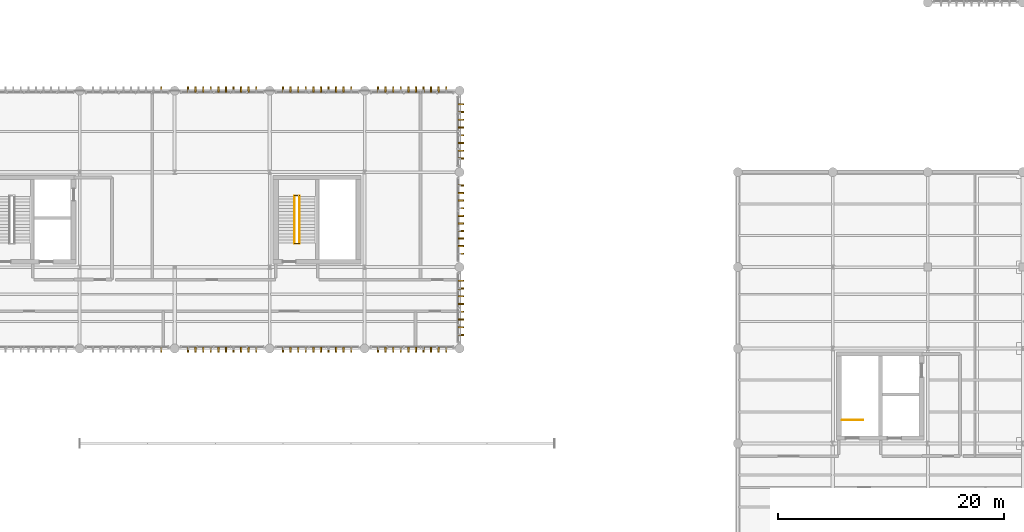
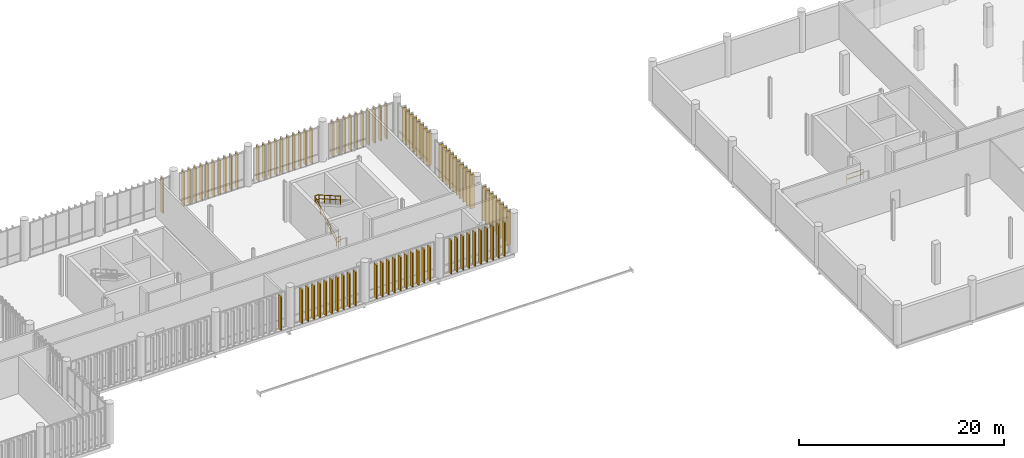
# One storey, part 89 of 94: 88 coverings, 5 railings.
"""IFC4 building model written with IfcOpenShell, lengths in metres."""

from ifc_helpers import new_model, si_unit, direction, frame, frame_2d, origin_with_axes, origin_2d_with_axis, place, context, subcontext, project, spatial, rectangle, circle, extrude, material, type_object, element, save


model = new_model("IFC4")

# Units and contexts
model_context = context("Model", 3, precision=1e-05, world=origin_with_axes(), true_north=direction((0.0, 1.0)))
body_context = subcontext(model_context, "Body", "Model", "MODEL_VIEW")
ifc_project = project(units=[si_unit("LENGTHUNIT", "METRE"), si_unit("AREAUNIT", "SQUARE_METRE"), si_unit("VOLUMEUNIT", "CUBIC_METRE"), si_unit("PLANEANGLEUNIT", "RADIAN"), si_unit("MASSUNIT", "GRAM", prefix="KILO"), si_unit("THERMODYNAMICTEMPERATUREUNIT", "KELVIN")], contexts=[model_context])

# Site, building, storey
site_placement = place(None, origin_with_axes())
site = spatial("IfcSite", under=ifc_project, at=site_placement, CompositionType="ELEMENT")
building_placement = place(site_placement, origin_with_axes())
building = spatial("IfcBuilding", under=site, at=building_placement, Name="Montbau Bow Law Courts", CompositionType="ELEMENT")
storey_placement = place(building_placement, frame((0.0, 0.0, 15.6), z_axis=(0.0, 0.0, 1.0), x_axis=(1.0, 0.0, 0.0)))
storey = spatial("IfcBuildingStorey", under=building, at=storey_placement, Name="L03", CompositionType="ELEMENT", Elevation=15.6)

# Coverings
ifc_material_1 = material(Name="Freeze-Thaw Glazed Warm Cream Ceramic Vertical Louvre", Category="masonry")
covering_type = type_object("IfcCoveringType", Name="CV-LVR-CRM", PredefinedType="CLADDING", material=ifc_material_1)
for number, where, z_axis, x_axis, name in (
    (1, (70.815, 39.13, 15.6), (-1.0, 0.0, 0.0), (0.0, -1.0, 0.0), "CLV-L03-1588:cov_1633"),
    (2, (73.185, 39.13, 15.6), (-1.0, 0.0, 0.0), (0.0, -1.0, 0.0), "CLV-L03-1589:cov_1634"),
    (3, (73.855, 39.13, 15.6), (-1.0, 0.0, 0.0), (0.0, -1.0, 0.0), "CLV-L03-1590:cov_1635"),
    (4, (74.525, 39.13, 15.6), (-1.0, 0.0, 0.0), (0.0, -1.0, 0.0), "CLV-L03-1591:cov_1636"),
    (5, (75.195, 39.13, 15.6), (-1.0, 0.0, 0.0), (0.0, -1.0, 0.0), "CLV-L03-1592:cov_1637"),
    (6, (75.865, 39.13, 15.6), (-1.0, 0.0, 0.0), (0.0, -1.0, 0.0), "CLV-L03-1593:cov_1638"),
    (7, (76.535, 39.13, 15.6), (-1.0, 0.0, 0.0), (0.0, -1.0, 0.0), "CLV-L03-1594:cov_1639"),
    (8, (77.205, 39.13, 15.6), (-1.0, 0.0, 0.0), (0.0, -1.0, 0.0), "CLV-L03-1595:cov_1640"),
    (9, (77.875, 39.13, 15.6), (-1.0, 0.0, 0.0), (0.0, -1.0, 0.0), "CLV-L03-1596:cov_1641"),
    (10, (78.545, 39.13, 15.6), (-1.0, 0.0, 0.0), (0.0, -1.0, 0.0), "CLV-L03-1597:cov_1642"),
    (11, (79.215, 39.13, 15.6), (-1.0, 0.0, 0.0), (0.0, -1.0, 0.0), "CLV-L03-1598:cov_1643"),
    (12, (81.585, 39.13, 15.6), (-1.0, 0.0, 0.0), (0.0, -1.0, 0.0), "CLV-L03-1599:cov_1644"),
    (13, (82.255, 39.13, 15.6), (-1.0, 0.0, 0.0), (0.0, -1.0, 0.0), "CLV-L03-1600:cov_1645"),
    (14, (82.925, 39.13, 15.6), (-1.0, 0.0, 0.0), (0.0, -1.0, 0.0), "CLV-L03-1601:cov_1646"),
    (15, (83.595, 39.13, 15.6), (-1.0, 0.0, 0.0), (0.0, -1.0, 0.0), "CLV-L03-1602:cov_1647"),
    (16, (84.265, 39.13, 15.6), (-1.0, 0.0, 0.0), (0.0, -1.0, 0.0), "CLV-L03-1603:cov_1648"),
    (17, (84.935, 39.13, 15.6), (-1.0, 0.0, 0.0), (0.0, -1.0, 0.0), "CLV-L03-1604:cov_1649"),
    (18, (85.605, 39.13, 15.6), (-1.0, 0.0, 0.0), (0.0, -1.0, 0.0), "CLV-L03-1605:cov_1650"),
    (19, (86.275, 39.13, 15.6), (-1.0, 0.0, 0.0), (0.0, -1.0, 0.0), "CLV-L03-1606:cov_1651"),
    (20, (86.945, 39.13, 15.6), (-1.0, 0.0, 0.0), (0.0, -1.0, 0.0), "CLV-L03-1607:cov_1652"),
    (21, (87.615, 39.13, 15.6), (-1.0, 0.0, 0.0), (0.0, -1.0, 0.0), "CLV-L03-1608:cov_1653"),
    (22, (89.985, 39.13, 15.6), (-1.0, 0.0, 0.0), (0.0, -1.0, 0.0), "CLV-L03-1609:cov_1654"),
    (23, (90.655, 39.13, 15.6), (-1.0, 0.0, 0.0), (0.0, -1.0, 0.0), "CLV-L03-1610:cov_1655"),
    (24, (91.325, 39.13, 15.6), (-1.0, 0.0, 0.0), (0.0, -1.0, 0.0), "CLV-L03-1611:cov_1656"),
    (25, (91.995, 39.13, 15.6), (-1.0, 0.0, 0.0), (0.0, -1.0, 0.0), "CLV-L03-1612:cov_1657"),
    (26, (92.665, 39.13, 15.6), (-1.0, 0.0, 0.0), (0.0, -1.0, 0.0), "CLV-L03-1613:cov_1658"),
    (27, (93.335, 39.13, 15.6), (-1.0, 0.0, 0.0), (0.0, -1.0, 0.0), "CLV-L03-1614:cov_1659"),
    (28, (94.005, 39.13, 15.6), (-1.0, 0.0, 0.0), (0.0, -1.0, 0.0), "CLV-L03-1615:cov_1660"),
    (29, (94.675, 39.13, 15.6), (-1.0, 0.0, 0.0), (0.0, -1.0, 0.0), "CLV-L03-1616:cov_1661"),
    (30, (95.345, 39.13, 15.6), (-1.0, 0.0, 0.0), (0.0, -1.0, 0.0), "CLV-L03-1617:cov_1662"),
    (31, (96.015, 39.13, 15.6), (-1.0, 0.0, 0.0), (0.0, -1.0, 0.0), "CLV-L03-1618:cov_1663"),
    (32, (70.815, 61.67, 15.6), (1.0, 0.0, 0.0), (0.0, 1.0, 0.0), "CLV-L03-1648:cov_1693"),
    (33, (73.185, 61.67, 15.6), (1.0, 0.0, 0.0), (0.0, 1.0, 0.0), "CLV-L03-1649:cov_1694"),
    (34, (73.855, 61.67, 15.6), (1.0, 0.0, 0.0), (0.0, 1.0, 0.0), "CLV-L03-1650:cov_1695"),
    (35, (74.525, 61.67, 15.6), (1.0, 0.0, 0.0), (0.0, 1.0, 0.0), "CLV-L03-1651:cov_1696"),
    (36, (75.195, 61.67, 15.6), (1.0, 0.0, 0.0), (0.0, 1.0, 0.0), "CLV-L03-1652:cov_1697"),
    (37, (75.865, 61.67, 15.6), (1.0, 0.0, 0.0), (0.0, 1.0, 0.0), "CLV-L03-1653:cov_1698"),
    (38, (76.535, 61.67, 15.6), (1.0, 0.0, 0.0), (0.0, 1.0, 0.0), "CLV-L03-1654:cov_1699"),
    (39, (77.205, 61.67, 15.6), (1.0, 0.0, 0.0), (0.0, 1.0, 0.0), "CLV-L03-1655:cov_1700"),
    (40, (77.875, 61.67, 15.6), (1.0, 0.0, 0.0), (0.0, 1.0, 0.0), "CLV-L03-1656:cov_1701"),
    (41, (78.545, 61.67, 15.6), (1.0, 0.0, 0.0), (0.0, 1.0, 0.0), "CLV-L03-1657:cov_1702"),
    (42, (79.215, 61.67, 15.6), (1.0, 0.0, 0.0), (0.0, 1.0, 0.0), "CLV-L03-1658:cov_1703"),
    (43, (81.585, 61.67, 15.6), (1.0, 0.0, 0.0), (0.0, 1.0, 0.0), "CLV-L03-1659:cov_1704"),
    (44, (82.255, 61.67, 15.6), (1.0, 0.0, 0.0), (0.0, 1.0, 0.0), "CLV-L03-1660:cov_1705"),
    (45, (82.925, 61.67, 15.6), (1.0, 0.0, 0.0), (0.0, 1.0, 0.0), "CLV-L03-1661:cov_1706"),
    (46, (83.595, 61.67, 15.6), (1.0, 0.0, 0.0), (0.0, 1.0, 0.0), "CLV-L03-1662:cov_1707"),
    (47, (84.265, 61.67, 15.6), (1.0, 0.0, 0.0), (0.0, 1.0, 0.0), "CLV-L03-1663:cov_1708"),
    (48, (84.935, 61.67, 15.6), (1.0, 0.0, 0.0), (0.0, 1.0, 0.0), "CLV-L03-1664:cov_1709"),
    (49, (85.605, 61.67, 15.6), (1.0, 0.0, 0.0), (0.0, 1.0, 0.0), "CLV-L03-1665:cov_1710"),
    (50, (86.275, 61.67, 15.6), (1.0, 0.0, 0.0), (0.0, 1.0, 0.0), "CLV-L03-1666:cov_1711"),
    (51, (86.945, 61.67, 15.6), (1.0, 0.0, 0.0), (0.0, 1.0, 0.0), "CLV-L03-1667:cov_1712"),
    (52, (87.615, 61.67, 15.6), (1.0, 0.0, 0.0), (0.0, 1.0, 0.0), "CLV-L03-1668:cov_1713"),
    (53, (89.985, 61.67, 15.6), (1.0, 0.0, 0.0), (0.0, 1.0, 0.0), "CLV-L03-1669:cov_1714"),
    (54, (90.655, 61.67, 15.6), (1.0, 0.0, 0.0), (0.0, 1.0, 0.0), "CLV-L03-1670:cov_1715"),
    (55, (91.325, 61.67, 15.6), (1.0, 0.0, 0.0), (0.0, 1.0, 0.0), "CLV-L03-1671:cov_1716"),
    (56, (91.995, 61.67, 15.6), (1.0, 0.0, 0.0), (0.0, 1.0, 0.0), "CLV-L03-1672:cov_1717"),
    (57, (92.665, 61.67, 15.6), (1.0, 0.0, 0.0), (0.0, 1.0, 0.0), "CLV-L03-1673:cov_1718"),
    (58, (93.335, 61.67, 15.6), (1.0, 0.0, 0.0), (0.0, 1.0, 0.0), "CLV-L03-1674:cov_1719"),
    (59, (94.005, 61.67, 15.6), (1.0, 0.0, 0.0), (0.0, 1.0, 0.0), "CLV-L03-1675:cov_1720"),
    (60, (94.675, 61.67, 15.6), (1.0, 0.0, 0.0), (0.0, 1.0, 0.0), "CLV-L03-1676:cov_1721"),
    (61, (95.345, 61.67, 15.6), (1.0, 0.0, 0.0), (0.0, 1.0, 0.0), "CLV-L03-1677:cov_1722"),
    (62, (96.015, 61.67, 15.6), (1.0, 0.0, 0.0), (0.0, 1.0, 0.0), "CLV-L03-1678:cov_1723"),
    (63, (97.07, 40.201, 15.6), (0.0, -1.0, 0.0), (1.0, 0.0, 0.0), "CLV-L03-1705:cov_1750"),
    (64, (97.07, 40.886, 15.6), (0.0, -1.0, 0.0), (1.0, 0.0, 0.0), "CLV-L03-1706:cov_1751"),
    (65, (97.07, 41.572, 15.6), (0.0, -1.0, 0.0), (1.0, 0.0, 0.0), "CLV-L03-1707:cov_1752"),
    (66, (97.07, 42.257, 15.6), (0.0, -1.0, 0.0), (1.0, 0.0, 0.0), "CLV-L03-1708:cov_1753"),
    (67, (97.07, 42.943, 15.6), (0.0, -1.0, 0.0), (1.0, 0.0, 0.0), "CLV-L03-1709:cov_1754"),
    (68, (97.07, 43.628, 15.6), (0.0, -1.0, 0.0), (1.0, 0.0, 0.0), "CLV-L03-1710:cov_1755"),
    (69, (97.07, 44.314, 15.6), (0.0, -1.0, 0.0), (1.0, 0.0, 0.0), "CLV-L03-1711:cov_1756"),
    (70, (97.07, 44.999, 15.6), (0.0, -1.0, 0.0), (1.0, 0.0, 0.0), "CLV-L03-1712:cov_1757"),
    (71, (97.07, 47.385, 15.6), (0.0, -1.0, 0.0), (1.0, 0.0, 0.0), "CLV-L03-1713:cov_1758"),
    (72, (97.07, 48.055, 15.6), (0.0, -1.0, 0.0), (1.0, 0.0, 0.0), "CLV-L03-1714:cov_1759"),
    (73, (97.07, 48.725, 15.6), (0.0, -1.0, 0.0), (1.0, 0.0, 0.0), "CLV-L03-1715:cov_1760"),
    (74, (97.07, 49.395, 15.6), (0.0, -1.0, 0.0), (1.0, 0.0, 0.0), "CLV-L03-1716:cov_1761"),
    (75, (97.07, 50.065, 15.6), (0.0, -1.0, 0.0), (1.0, 0.0, 0.0), "CLV-L03-1717:cov_1762"),
    (76, (97.07, 50.735, 15.6), (0.0, -1.0, 0.0), (1.0, 0.0, 0.0), "CLV-L03-1718:cov_1763"),
    (77, (97.07, 51.405, 15.6), (0.0, -1.0, 0.0), (1.0, 0.0, 0.0), "CLV-L03-1719:cov_1764"),
    (78, (97.07, 52.075, 15.6), (0.0, -1.0, 0.0), (1.0, 0.0, 0.0), "CLV-L03-1720:cov_1765"),
    (79, (97.07, 52.745, 15.6), (0.0, -1.0, 0.0), (1.0, 0.0, 0.0), "CLV-L03-1721:cov_1766"),
    (80, (97.07, 53.415, 15.6), (0.0, -1.0, 0.0), (1.0, 0.0, 0.0), "CLV-L03-1722:cov_1767"),
    (81, (97.07, 55.801, 15.6), (0.0, -1.0, 0.0), (1.0, 0.0, 0.0), "CLV-L03-1723:cov_1768"),
    (82, (97.07, 56.486, 15.6), (0.0, -1.0, 0.0), (1.0, 0.0, 0.0), "CLV-L03-1724:cov_1769"),
    (83, (97.07, 57.172, 15.6), (0.0, -1.0, 0.0), (1.0, 0.0, 0.0), "CLV-L03-1725:cov_1770"),
    (84, (97.07, 57.857, 15.6), (0.0, -1.0, 0.0), (1.0, 0.0, 0.0), "CLV-L03-1726:cov_1771"),
    (85, (97.07, 58.543, 15.6), (0.0, -1.0, 0.0), (1.0, 0.0, 0.0), "CLV-L03-1727:cov_1772"),
    (86, (97.07, 59.228, 15.6), (0.0, -1.0, 0.0), (1.0, 0.0, 0.0), "CLV-L03-1728:cov_1773"),
    (87, (97.07, 59.914, 15.6), (0.0, -1.0, 0.0), (1.0, 0.0, 0.0), "CLV-L03-1729:cov_1774"),
    (88, (97.07, 60.599, 15.6), (0.0, -1.0, 0.0), (1.0, 0.0, 0.0), "CLV-L03-1730:cov_1775"),
):
    element("IfcCovering", number, at=place(None, frame(where, z_axis=z_axis, x_axis=x_axis)), inside=storey, type_object=covering_type, Name=name, PredefinedType="CLADDING", context=body_context, shape_type="SweptSolid", body=[
        extrude(rectangle(XDim=0.48, YDim=4.04, at=frame_2d((0.24, 2.02), x_axis=(1.0, 0.0))), frame((0.0, 0.0, -0.06), z_axis=(0.0, 0.0, 1.0), x_axis=(1.0, 0.0, 0.0)), (0.0, 0.0, 1.0), 0.12),
    ])

# Railings
ifc_material_2 = material(Name="Architectural Bronze-Finished Steel Stair Guard", Category="steel")
railing_type_1 = type_object("IfcRailingType", Name="RL-GRD-1100", PredefinedType="GUARDRAIL", material=ifc_material_2)
railing_1_placement = place(None, origin_with_axes())
element("IfcRailing", 89, at=railing_1_placement, inside=storey, type_object=railing_type_1, Name="SG-ST-P3-L03-ML:rlg_0144", PredefinedType="GUARDRAIL", context=body_context, shape_type="SweptSolid", body=[
    extrude(circle(Radius=0.0225, at=origin_2d_with_axis()), frame((82.585, 52.53, 19.102), z_axis=(1.0, 0.0, 0.0), x_axis=(0.0, 0.0, 1.0)), (0.0, 0.0, 1.0), 0.455),
    extrude(circle(Radius=0.02025, at=origin_2d_with_axis()), frame((82.585, 52.53, 18.572), z_axis=(1.0, 0.0, 0.0), x_axis=(0.0, 0.0, 1.0)), (0.0, 0.0, 1.0), 0.455),
    extrude(circle(Radius=0.02025, at=origin_2d_with_axis()), frame((82.585, 52.53, 18.0), z_axis=(0.0, 0.0, 1.0), x_axis=(1.0, 0.0, 0.0)), (0.0, 0.0, 1.0), 1.07525),
    extrude(circle(Radius=0.02025, at=origin_2d_with_axis()), frame((83.04, 52.53, 18.0), z_axis=(0.0, 0.0, 1.0), x_axis=(1.0, 0.0, 0.0)), (0.0, 0.0, 1.0), 1.07525),
])
railing_2_placement = place(None, origin_with_axes())
element("IfcRailing", 90, at=railing_2_placement, inside=storey, type_object=railing_type_1, Name="SG-ST-P3-L03-BL:rlg_0145", PredefinedType="GUARDRAIL", context=body_context, shape_type="SweptSolid", body=[
    extrude(circle(Radius=0.0225, at=origin_2d_with_axis()), frame((82.585, 48.27, 16.702), z_axis=(1.0, 0.0, 0.0), x_axis=(0.0, 0.0, 1.0)), (0.0, 0.0, 1.0), 0.455),
    extrude(circle(Radius=0.02025, at=origin_2d_with_axis()), frame((82.585, 48.27, 16.172), z_axis=(1.0, 0.0, 0.0), x_axis=(0.0, 0.0, 1.0)), (0.0, 0.0, 1.0), 0.455),
    extrude(circle(Radius=0.02025, at=origin_2d_with_axis()), frame((82.585, 48.27, 15.6), z_axis=(0.0, 0.0, 1.0), x_axis=(1.0, 0.0, 0.0)), (0.0, 0.0, 1.0), 1.07525),
    extrude(circle(Radius=0.02025, at=origin_2d_with_axis()), frame((83.04, 48.27, 15.6), z_axis=(0.0, 0.0, 1.0), x_axis=(1.0, 0.0, 0.0)), (0.0, 0.0, 1.0), 1.07525),
])
railing_3_placement = place(None, origin_with_axes())
element("IfcRailing", 91, at=railing_3_placement, inside=storey, type_object=railing_type_1, Name="SG-ST-C1-L02-TOP:rlg_0258", PredefinedType="GUARDRAIL", context=body_context, shape_type="SweptSolid", body=[
    extrude(circle(Radius=0.0225, at=origin_2d_with_axis()), frame((131.03, 32.66, 16.702), z_axis=(1.0, 0.0, 0.0), x_axis=(0.0, 0.0, 1.0)), (0.0, 0.0, 1.0), 1.86),
    extrude(circle(Radius=0.02025, at=origin_2d_with_axis()), frame((131.03, 32.66, 16.172), z_axis=(1.0, 0.0, 0.0), x_axis=(0.0, 0.0, 1.0)), (0.0, 0.0, 1.0), 1.86),
    extrude(circle(Radius=0.02025, at=origin_2d_with_axis()), frame((131.03, 32.66, 15.6), z_axis=(0.0, 0.0, 1.0), x_axis=(1.0, 0.0, 0.0)), (0.0, 0.0, 1.0), 1.07525),
    extrude(circle(Radius=0.02025, at=origin_2d_with_axis()), frame((132.89, 32.66, 15.6), z_axis=(0.0, 0.0, 1.0), x_axis=(1.0, 0.0, 0.0)), (0.0, 0.0, 1.0), 1.07525),
])
ifc_material_3 = material(Name="White-Oak and Stainless Continuous Stair Handrail", Category="steel")
railing_type_2 = type_object("IfcRailingType", Name="RL-HND-0920", PredefinedType="HANDRAIL", material=ifc_material_3)
railing_4_placement = place(None, origin_with_axes())
element("IfcRailing", 92, at=railing_4_placement, inside=storey, type_object=railing_type_2, Name="HR-ST-P3-L03-1:rlg_0146", PredefinedType="HANDRAIL", context=body_context, shape_type="SweptSolid", body=[
    extrude(circle(Radius=0.021, at=origin_2d_with_axis()), frame((82.585, 48.3, 16.682), z_axis=(0.0, 0.868243142, 0.496138938), x_axis=(0.0, -0.496138938, 0.868243142)), (0.0, 0.0, 1.0), 4.837355),
    extrude(circle(Radius=0.0189, at=origin_2d_with_axis()), frame((82.585, 48.3, 16.2384), z_axis=(0.0, 0.868243142, 0.496138938), x_axis=(0.0, -0.496138938, 0.868243142)), (0.0, 0.0, 1.0), 4.837355),
    extrude(circle(Radius=0.0189, at=origin_2d_with_axis()), frame((82.585, 48.3, 15.76), z_axis=(0.0, 0.0, 1.0), x_axis=(1.0, 0.0, 0.0)), (0.0, 0.0, 1.0), 0.8969),
    extrude(circle(Radius=0.0189, at=origin_2d_with_axis()), frame((82.585, 49.35, 16.36), z_axis=(0.0, 0.0, 1.0), x_axis=(1.0, 0.0, 0.0)), (0.0, 0.0, 1.0), 0.8969),
    extrude(circle(Radius=0.0189, at=origin_2d_with_axis()), frame((82.585, 50.4, 16.96), z_axis=(0.0, 0.0, 1.0), x_axis=(1.0, 0.0, 0.0)), (0.0, 0.0, 1.0), 0.8969),
    extrude(circle(Radius=0.0189, at=origin_2d_with_axis()), frame((82.585, 51.45, 17.56), z_axis=(0.0, 0.0, 1.0), x_axis=(1.0, 0.0, 0.0)), (0.0, 0.0, 1.0), 0.8969),
    extrude(circle(Radius=0.0189, at=origin_2d_with_axis()), frame((82.585, 52.5, 18.16), z_axis=(0.0, 0.0, 1.0), x_axis=(1.0, 0.0, 0.0)), (0.0, 0.0, 1.0), 0.8969),
])
railing_5_placement = place(None, origin_with_axes())
element("IfcRailing", 93, at=railing_5_placement, inside=storey, type_object=railing_type_2, Name="HR-ST-P3-L03-2:rlg_0147", PredefinedType="HANDRAIL", context=body_context, shape_type="SweptSolid", body=[
    extrude(circle(Radius=0.021, at=origin_2d_with_axis()), frame((83.04, 52.5, 19.082), z_axis=(0.0, -0.868243142, 0.496138938), x_axis=(0.0, 0.496138938, 0.868243142)), (0.0, 0.0, 1.0), 4.837355),
    extrude(circle(Radius=0.0189, at=origin_2d_with_axis()), frame((83.04, 52.5, 18.6384), z_axis=(0.0, -0.868243142, 0.496138938), x_axis=(0.0, 0.496138938, 0.868243142)), (0.0, 0.0, 1.0), 4.837355),
    extrude(circle(Radius=0.0189, at=origin_2d_with_axis()), frame((83.04, 52.5, 18.16), z_axis=(0.0, 0.0, 1.0), x_axis=(1.0, 0.0, 0.0)), (0.0, 0.0, 1.0), 0.8969),
    extrude(circle(Radius=0.0189, at=origin_2d_with_axis()), frame((83.04, 51.45, 18.76), z_axis=(0.0, 0.0, 1.0), x_axis=(1.0, 0.0, 0.0)), (0.0, 0.0, 1.0), 0.8969),
    extrude(circle(Radius=0.0189, at=origin_2d_with_axis()), frame((83.04, 50.4, 19.36), z_axis=(0.0, 0.0, 1.0), x_axis=(1.0, 0.0, 0.0)), (0.0, 0.0, 1.0), 0.8969),
    extrude(circle(Radius=0.0189, at=origin_2d_with_axis()), frame((83.04, 49.35, 19.96), z_axis=(0.0, 0.0, 1.0), x_axis=(1.0, 0.0, 0.0)), (0.0, 0.0, 1.0), 0.8969),
    extrude(circle(Radius=0.0189, at=origin_2d_with_axis()), frame((83.04, 48.3, 20.56), z_axis=(0.0, 0.0, 1.0), x_axis=(1.0, 0.0, 0.0)), (0.0, 0.0, 1.0), 0.8969),
])

save(model, "model.ifc")
